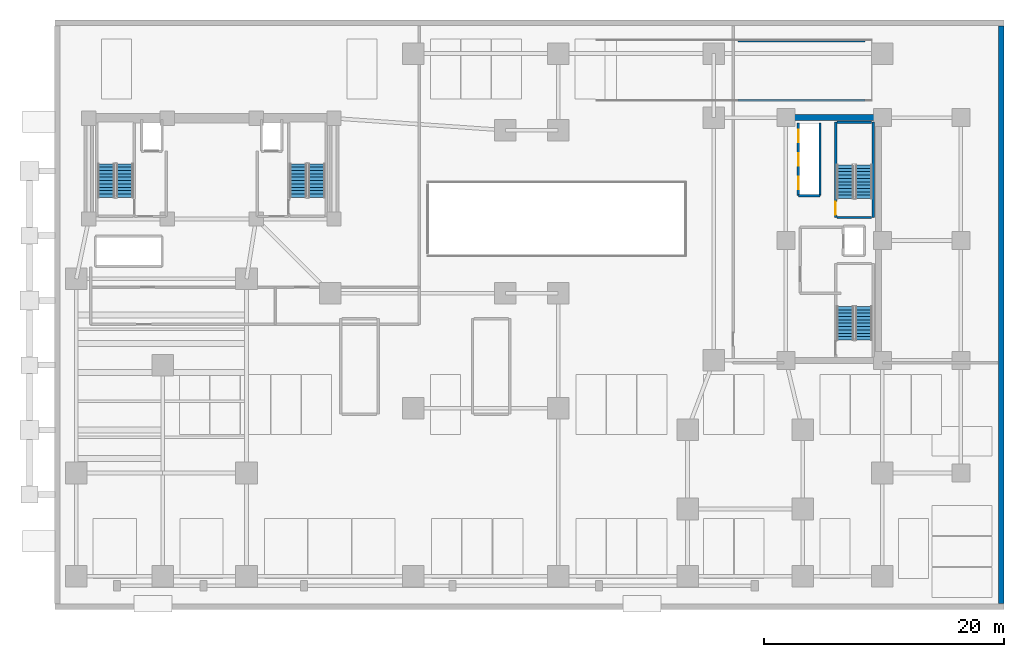
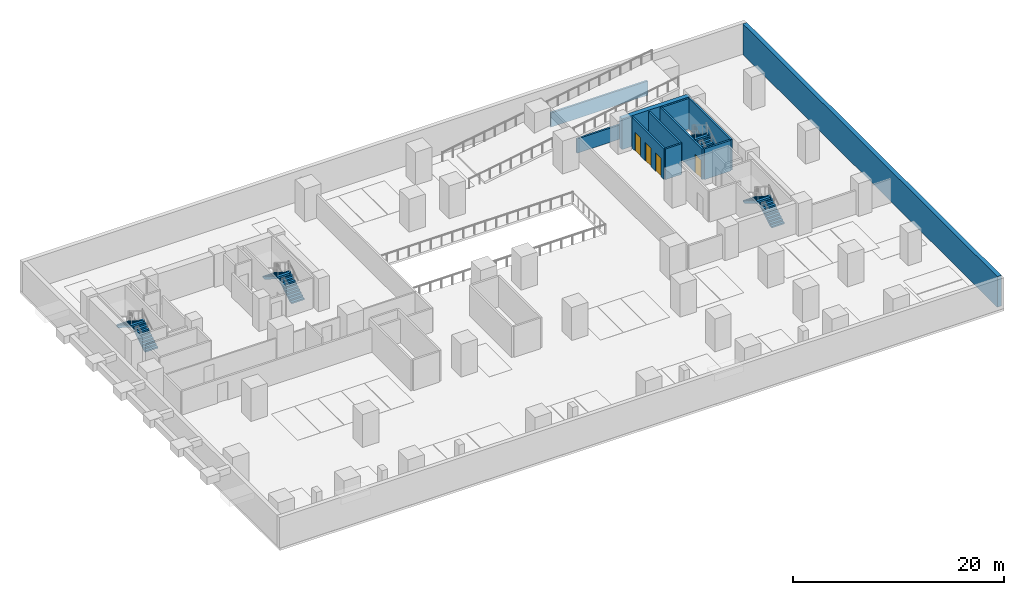
# One storey, part 5 of 9: 11 walls, 8 stair flights, 4 doors, 4 openings, 4 elements without a shape of their own.
"""IFC4 building model written with IfcOpenShell, lengths in metres."""

from ifc_helpers import new_model, si_unit, direction, frame, frame_2d, origin, place, context, subcontext, project, spatial, polyline, rectangle, outline, extrude, material, layer, layer_set, type_object, element, fill, aggregate, save


model = new_model("IFC4")

# Units and contexts
model_context = context("Model", 3, precision=1e-05, world=origin(), true_north=direction((0.0, 1.0)))
body_context = subcontext(model_context, "Body", "Model", "MODEL_VIEW")
ifc_project = project(units=[si_unit("LENGTHUNIT", "METRE"), si_unit("AREAUNIT", "SQUARE_METRE"), si_unit("VOLUMEUNIT", "CUBIC_METRE"), si_unit("PLANEANGLEUNIT", "RADIAN"), si_unit("MASSUNIT", "GRAM", prefix="KILO")], contexts=[model_context])

# Site, building, storey
site_placement = place(None, origin())
site = spatial("IfcSite", under=ifc_project, at=site_placement, CompositionType="ELEMENT")
building_placement = place(site_placement, origin())
building = spatial("IfcBuilding", under=site, at=building_placement, Name="Kuzgunbayir Cultural Tower", CompositionType="ELEMENT")
storey_placement = place(building_placement, frame((0.0, 0.0, -3.800048828125)))
storey = spatial("IfcBuildingStorey", under=building, at=storey_placement, Name="B01", CompositionType="ELEMENT", Elevation=-3.800048828125)

# Wall
ifc_material_1 = material(Name="Concrete C40/50", Category="concrete")
ifc_layer_1 = layer(ifc_material_1, 0.449951171875)
ifc_layer_set_1 = layer_set([ifc_layer_1], Name="Concrete C40/50")
wall_type_1 = type_object("IfcWallType", Name="WAL-EXT-BSM-450", PredefinedType="SOLIDWALL", material=ifc_layer_set_1)
wall_1_placement = place(storey_placement, frame((82.580078125, 1.699951171875, 0.0), z_axis=(0.0, 0.0, 1.0), x_axis=(0.0, 1.0, 0.0)))
element("IfcWall", 1, at=wall_1_placement, inside=storey, type_object=wall_type_1, Name="B01 East Retaining Wall", PredefinedType="SOLIDWALL", context=body_context, shape_type="SweptSolid", body=[
    extrude(rectangle(XDim=48.199951171875, YDim=0.449951171875, at=frame_2d((24.10009765625, 0.0))), origin(), (0.0, 0.0, 1.0), 3.550048828125),
])

# Wall, openings, doors
ifc_layer_2 = layer(ifc_material_1, 0.199951171875)
ifc_layer_set_2 = layer_set([ifc_layer_2], Name="Concrete C40/50")
wall_type_2 = type_object("IfcWallType", Name="WAL-SHAFT-200", PredefinedType="MOVABLE", material=ifc_layer_set_2)
wall_2_placement = place(storey_placement, frame((65.64990234375, 35.75, 0.0), z_axis=(0.0, 0.0, 1.0), x_axis=(0.0, 1.0, 0.0)))
wall_2 = element("IfcWall", 2, at=wall_2_placement, inside=storey, type_object=wall_type_2, Name="B01 Companion Lift Front Wall", PredefinedType="MOVABLE", context=body_context, shape_type="SweptSolid", body=[
    extrude(rectangle(XDim=6.050048828125, YDim=0.199951171875, at=frame_2d((3.02490234375, 0.0))), origin(), (0.0, 0.0, 1.0), 3.550048828125),
])
opening_1_placement = place(wall_2_placement, frame((0.52001953125, 0.0, 0.0)))
opening_1 = element("IfcOpeningElement", 3, at=opening_1_placement, cuts=wall_2, Name="Opening LD", PredefinedType="OPENING", context=body_context, shape_type="SweptSolid", body=[
    extrude(rectangle(XDim=1.050048828125, YDim=2.14990234375, at=frame_2d((0.52490234375, 1.074951171875))), frame((0.0, 0.10986328125, 0.0), z_axis=(0.0, -1.0, 0.0), x_axis=(1.0, 0.0, 0.0)), (0.0, 0.0, 1.0), 0.219970703125),
])
opening_2_placement = place(wall_2_placement, frame((2.47998046875, 0.0, 0.0)))
opening_2 = element("IfcOpeningElement", 4, at=opening_2_placement, cuts=wall_2, Name="Opening LD", PredefinedType="OPENING", context=body_context, shape_type="SweptSolid", body=[
    extrude(rectangle(XDim=1.050048828125, YDim=2.14990234375, at=frame_2d((0.52490234375, 1.074951171875))), frame((0.0, 0.10986328125, 0.0), z_axis=(0.0, -1.0, 0.0), x_axis=(1.0, 0.0, 0.0)), (0.0, 0.0, 1.0), 0.219970703125),
])
opening_3_placement = place(wall_2_placement, frame((4.429931640625, 0.0, 0.0)))
opening_3 = element("IfcOpeningElement", 5, at=opening_3_placement, cuts=wall_2, Name="Opening LD", PredefinedType="OPENING", context=body_context, shape_type="SweptSolid", body=[
    extrude(rectangle(XDim=1.050048828125, YDim=2.14990234375, at=frame_2d((0.52490234375, 1.074951171875))), frame((0.0, 0.10986328125, 0.0), z_axis=(0.0, -1.0, 0.0), x_axis=(1.0, 0.0, 0.0)), (0.0, 0.0, 1.0), 0.219970703125),
])
ifc_material_2 = material(Name="Brushed Stainless Steel", Category="steel")
door_type_1 = type_object("IfcDoorType", Name="DR-LIFT-LANDING", OperationType="SLIDING_TO_LEFT", PredefinedType="DOOR", material=ifc_material_2)
door_1_placement = place(opening_1_placement, origin())
door_1 = element("IfcDoor", 6, at=door_1_placement, inside=storey, type_object=door_type_1, Name="B01 Lift PC-1 Landing Door", OperationType="SLIDING_TO_LEFT", OverallHeight=2.14990234375, OverallWidth=1.050048828125, PredefinedType="DOOR", context=body_context, shape_type="SweptSolid", body=[
    extrude(rectangle(XDim=1.050048828125, YDim=2.14990234375, at=frame_2d((0.52490234375, 1.074951171875))), frame((0.0, 0.02490234375, 0.0), z_axis=(0.0, -1.0, 0.0), x_axis=(1.0, 0.0, 0.0)), (0.0, 0.0, 1.0), 0.050048828125),
])
fill(opening_1, door_1)
door_2_placement = place(opening_2_placement, origin())
door_2 = element("IfcDoor", 7, at=door_2_placement, inside=storey, type_object=door_type_1, Name="B01 Lift PC-2 Landing Door", OperationType="SLIDING_TO_LEFT", OverallHeight=2.14990234375, OverallWidth=1.050048828125, PredefinedType="DOOR", context=body_context, shape_type="SweptSolid", body=[
    extrude(rectangle(XDim=1.050048828125, YDim=2.14990234375, at=frame_2d((0.52490234375, 1.074951171875))), frame((0.0, 0.02490234375, 0.0), z_axis=(0.0, -1.0, 0.0), x_axis=(1.0, 0.0, 0.0)), (0.0, 0.0, 1.0), 0.050048828125),
])
fill(opening_2, door_2)
door_3_placement = place(opening_3_placement, origin())
door_3 = element("IfcDoor", 8, at=door_3_placement, inside=storey, type_object=door_type_1, Name="B01 Lift PC-3 Landing Door", OperationType="SLIDING_TO_LEFT", OverallHeight=2.14990234375, OverallWidth=1.050048828125, PredefinedType="DOOR", context=body_context, shape_type="SweptSolid", body=[
    extrude(rectangle(XDim=1.050048828125, YDim=2.14990234375, at=frame_2d((0.52490234375, 1.074951171875))), frame((0.0, 0.02490234375, 0.0), z_axis=(0.0, -1.0, 0.0), x_axis=(1.0, 0.0, 0.0)), (0.0, 0.0, 1.0), 0.050048828125),
])
fill(opening_3, door_3)

# Walls
wall_3_placement = place(storey_placement, frame((67.449951171875, 35.75, 0.0), z_axis=(0.0, 0.0, 1.0), x_axis=(0.0, 1.0, 0.0)))
element("IfcWall", 9, at=wall_3_placement, inside=storey, type_object=wall_type_2, Name="B01 Companion Lift Shaft Back Wall", PredefinedType="MOVABLE", context=body_context, shape_type="SweptSolid", body=[
    extrude(rectangle(XDim=6.050048828125, YDim=0.199951171875, at=frame_2d((3.02490234375, 0.0))), origin(), (0.0, 0.0, 1.0), 3.550048828125),
])
wall_4_placement = place(storey_placement, frame((65.64990234375, 35.75, 0.0), z_axis=(0.0, 0.0, 1.0), x_axis=(1.0, 0.0, 0.0)))
element("IfcWall", 10, at=wall_4_placement, inside=storey, type_object=wall_type_2, Name="B01 Companion Lift Shaft South Wall", PredefinedType="MOVABLE", context=body_context, shape_type="SweptSolid", body=[
    extrude(rectangle(XDim=1.800048828125, YDim=0.199951171875, at=frame_2d((0.89990234375, 0.0))), origin(), (0.0, 0.0, 1.0), 3.550048828125),
])

# Wall, opening, door
ifc_layer_3 = layer(ifc_material_1, 0.199951171875)
ifc_layer_set_3 = layer_set([ifc_layer_3], Name="Concrete C40/50")
wall_type_3 = type_object("IfcWallType", Name="WAL-STAIR-RC-200", PredefinedType="SHEAR", material=ifc_layer_set_3)
wall_5_placement = place(storey_placement, frame((68.760009765625, 33.919921875, 0.0), z_axis=(0.0, 0.0, 1.0), x_axis=(0.0, 1.0, 0.0)))
wall_5 = element("IfcWall", 11, at=wall_5_placement, inside=storey, type_object=wall_type_3, Name="B01 Stair ST-4 West Structural Wall", PredefinedType="SHEAR", context=body_context, shape_type="SweptSolid", body=[
    extrude(rectangle(XDim=7.9599609375, YDim=0.199951171875, at=frame_2d((3.97998046875, 0.0))), origin(), (0.0, 0.0, 1.0), 3.550048828125),
])
opening_4_placement = place(wall_5_placement, frame((0.219970703125, 0.0, 0.0)))
opening_4 = element("IfcOpeningElement", 12, at=opening_4_placement, cuts=wall_5, Name="Opening DR-STAIR-90", PredefinedType="OPENING", context=body_context, shape_type="SweptSolid", body=[
    extrude(rectangle(XDim=1.10009765625, YDim=2.14990234375, at=frame_2d((0.550048828125, 1.074951171875))), frame((0.0, 0.10986328125, 0.0), z_axis=(0.0, -1.0, 0.0), x_axis=(1.0, 0.0, 0.0)), (0.0, 0.0, 1.0), 0.219970703125),
])
ifc_material_3 = material(Name="Steel S355J2", Category="steel")
door_type_2 = type_object("IfcDoorType", Name="DR-STAIR-90", OperationType="NOTDEFINED", PredefinedType="DOOR", material=ifc_material_3)
door_4_placement = place(opening_4_placement, origin())
door_4 = element("IfcDoor", 13, at=door_4_placement, inside=storey, type_object=door_type_2, Name="B01 Stair ST-4 Fire Door", OperationType="SINGLE_SWING_RIGHT", OverallHeight=2.14990234375, OverallWidth=1.10009765625, PredefinedType="DOOR", context=body_context, shape_type="SweptSolid", body=[
    extrude(rectangle(XDim=1.10009765625, YDim=2.14990234375, at=frame_2d((0.550048828125, 1.074951171875))), frame((0.0, 0.02490234375, 0.0), z_axis=(0.0, -1.0, 0.0), x_axis=(1.0, 0.0, 0.0)), (0.0, 0.0, 1.0), 0.050048828125),
])
fill(opening_4, door_4)

# Walls
wall_6_placement = place(storey_placement, frame((71.8798828125, 33.919921875, 0.0), z_axis=(0.0, 0.0, 1.0), x_axis=(0.0, 1.0, 0.0)))
element("IfcWall", 14, at=wall_6_placement, inside=storey, type_object=wall_type_3, Name="B01 Stair ST-4 East Structural Wall", PredefinedType="SHEAR", context=body_context, shape_type="SweptSolid", body=[
    extrude(rectangle(XDim=7.9599609375, YDim=0.199951171875, at=frame_2d((3.97998046875, 0.0))), origin(), (0.0, 0.0, 1.0), 3.550048828125),
])
for number, where, z_axis, x_axis, name in (
    (15, (68.8798828125, 41.8798828125, 0.0), (0.0, 0.0, 1.0), (1.0, 0.0, 0.0), "B01 Stair ST-4 North Structural Wall"),
    (16, (68.8798828125, 33.919921875, 0.0), (0.0, 0.0, 1.0), (1.0, 0.0, 0.0), "B01 Stair ST-4 South Structural Wall"),
):
    element("IfcWall", number, at=place(storey_placement, frame(where, z_axis=z_axis, x_axis=x_axis)), inside=storey, type_object=wall_type_3, Name=name, PredefinedType="SHEAR", context=body_context, shape_type="SweptSolid", body=[
        extrude(rectangle(XDim=2.880126953125, YDim=0.199951171875, at=frame_2d((1.43994140625, 0.0))), origin(), (0.0, 0.0, 1.0), 3.550048828125),
    ])
for number, where, z_axis, x_axis, name in (
    (17, (60.60009765625, 43.719970703125, 0.0), (0.0, 0.0, 1.0), (1.0, 0.0, 0.0), "B01 Vehicle Ramp VR-1 Support Wall S"),
    (18, (60.60009765625, 48.679931640625, 0.0), (0.0, 0.0, 1.0), (1.0, 0.0, 0.0), "B01 Vehicle Ramp VR-1 Support Wall N"),
):
    element("IfcWall", number, at=place(storey_placement, frame(where, z_axis=z_axis, x_axis=x_axis)), inside=storey, type_object=wall_type_3, Name=name, PredefinedType="SHEAR", context=body_context, shape_type="SweptSolid", body=[
        extrude(rectangle(XDim=10.599853515625, YDim=0.199951171875, at=frame_2d((5.2998046875, 0.0))), origin(), (0.0, 0.0, 1.0), 1.650146484375),
    ])
ifc_material_4 = material(Name="Concrete C60/75", Category="concrete")
ifc_layer_4 = layer(ifc_material_4, 0.5)
ifc_layer_set_4 = layer_set([ifc_layer_4], Name="Concrete C60/75")
wall_type_4 = type_object("IfcWallType", Name="WAL-T2-CORE-500", PredefinedType="SHEAR", material=ifc_layer_set_4)
wall_7_placement = place(storey_placement, frame((64.60009765625, 42.25, 0.0), z_axis=(0.0, 0.0, 1.0), x_axis=(1.0, 0.0, 0.0)))
element("IfcWall", 19, at=wall_7_placement, inside=storey, type_object=wall_type_4, Name="B01 Companion Core North Shear Wall", PredefinedType="SHEAR", context=body_context, shape_type="SweptSolid", body=[
    extrude(rectangle(XDim=7.5, YDim=0.5, at=frame_2d((3.75, 0.0))), origin(), (0.0, 0.0, 1.0), 3.550048828125),
])

# Stair, stair flights
stair_type = type_object("IfcStairType", Name="STR-EXIT-CORE", PredefinedType="HALF_TURN_STAIR", material=ifc_material_1)
stair_1_placement = place(storey_placement, origin())
stair_1 = element("IfcStair", 20, at=stair_1_placement, inside=storey, type_object=stair_type, Name="B01 ST-1", PredefinedType="HALF_TURN_STAIR")
stair_flight_type = type_object("IfcStairFlightType", Name="STRF-RC-140", PredefinedType="STRAIGHT", material=ifc_material_1)
stair_flight_1_placement = place(storey_placement, frame((9.4599609375, 35.60009765625, 0.0), z_axis=(0.0, 0.0, 1.0), x_axis=(0.0, 1.0, 0.0)))
stair_flight_1 = element("IfcStairFlight", 21, at=stair_flight_1_placement, type_object=stair_flight_type, Name="ST-1 flight 1", NumberOfRisers=11, NumberOfTreads=10, PredefinedType="STRAIGHT", RiserHeight=0.172727273, TreadLength=0.28, context=body_context, shape_type="SweptSolid", body=[
    extrude(outline(polyline([(0.0, 0.0), (0.0, 0.172607421875), (0.280029296875, 0.172607421875), (0.280029296875, 0.345458984375), (0.56005859375, 0.345458984375), (0.56005859375, 0.51806640625), (0.840087890625, 0.51806640625), (0.840087890625, 0.69091796875), (1.1201171875, 0.69091796875), (1.1201171875, 0.863525390625), (1.39990234375, 0.863525390625), (1.39990234375, 1.036376953125), (1.679931640625, 1.036376953125), (1.679931640625, 1.208984375), (1.9599609375, 1.208984375), (1.9599609375, 1.3818359375), (2.239990234375, 1.3818359375), (2.239990234375, 1.554443359375), (2.52001953125, 1.554443359375), (2.52001953125, 1.727294921875), (2.800048828125, 1.727294921875), (2.800048828125, 1.89990234375), (2.800048828125, 1.515869140625), (0.3427734375, 0.0), (0.0, 0.0)])), frame((0.0, 0.699951171875, 0.0), z_axis=(0.0, -1.0, 0.0), x_axis=(1.0, 0.0, 0.0)), (0.0, 0.0, 1.0), 1.39990234375),
])
stair_flight_2_placement = place(storey_placement, frame((7.89990234375, 38.39990234375, 1.900146484375), z_axis=(0.0, 0.0, 1.0), x_axis=(0.0, -1.0, 0.0)))
stair_flight_2 = element("IfcStairFlight", 22, at=stair_flight_2_placement, type_object=stair_flight_type, Name="ST-1 flight 2", NumberOfRisers=11, NumberOfTreads=10, PredefinedType="STRAIGHT", RiserHeight=0.172727273, TreadLength=0.28, context=body_context, shape_type="SweptSolid", body=[
    extrude(outline(polyline([(0.0, 0.0), (0.0, 0.172607421875), (0.280029296875, 0.172607421875), (0.280029296875, 0.345458984375), (0.56005859375, 0.345458984375), (0.56005859375, 0.51806640625), (0.840087890625, 0.51806640625), (0.840087890625, 0.69091796875), (1.1201171875, 0.69091796875), (1.1201171875, 0.863525390625), (1.39990234375, 0.863525390625), (1.39990234375, 1.036376953125), (1.679931640625, 1.036376953125), (1.679931640625, 1.208984375), (1.9599609375, 1.208984375), (1.9599609375, 1.3818359375), (2.239990234375, 1.3818359375), (2.239990234375, 1.554443359375), (2.52001953125, 1.554443359375), (2.52001953125, 1.727294921875), (2.800048828125, 1.727294921875), (2.800048828125, 1.89990234375), (2.800048828125, 1.515869140625), (0.3427734375, 0.0), (0.0, 0.0)])), frame((0.0, 0.699951171875, 0.0), z_axis=(0.0, -1.0, 0.0), x_axis=(1.0, 0.0, 0.0)), (0.0, 0.0, 1.0), 1.39990234375),
])
aggregate(stair_1, [stair_flight_1, stair_flight_2])

stair_2_placement = place(storey_placement, origin())
stair_2 = element("IfcStair", 23, at=stair_2_placement, inside=storey, type_object=stair_type, Name="B01 ST-2", PredefinedType="HALF_TURN_STAIR")
stair_flight_3_placement = place(storey_placement, frame((25.4599609375, 35.60009765625, 0.0), z_axis=(0.0, 0.0, 1.0), x_axis=(0.0, 1.0, 0.0)))
stair_flight_3 = element("IfcStairFlight", 24, at=stair_flight_3_placement, type_object=stair_flight_type, Name="ST-2 flight 1", NumberOfRisers=11, NumberOfTreads=10, PredefinedType="STRAIGHT", RiserHeight=0.172727273, TreadLength=0.28, context=body_context, shape_type="SweptSolid", body=[
    extrude(outline(polyline([(0.0, 0.0), (0.0, 0.172607421875), (0.280029296875, 0.172607421875), (0.280029296875, 0.345458984375), (0.56005859375, 0.345458984375), (0.56005859375, 0.51806640625), (0.840087890625, 0.51806640625), (0.840087890625, 0.69091796875), (1.1201171875, 0.69091796875), (1.1201171875, 0.863525390625), (1.39990234375, 0.863525390625), (1.39990234375, 1.036376953125), (1.679931640625, 1.036376953125), (1.679931640625, 1.208984375), (1.9599609375, 1.208984375), (1.9599609375, 1.3818359375), (2.239990234375, 1.3818359375), (2.239990234375, 1.554443359375), (2.52001953125, 1.554443359375), (2.52001953125, 1.727294921875), (2.800048828125, 1.727294921875), (2.800048828125, 1.89990234375), (2.800048828125, 1.515869140625), (0.3427734375, 0.0), (0.0, 0.0)])), frame((0.0, 0.699951171875, 0.0), z_axis=(0.0, -1.0, 0.0), x_axis=(1.0, 0.0, 0.0)), (0.0, 0.0, 1.0), 1.39990234375),
])
stair_flight_4_placement = place(storey_placement, frame((23.89990234375, 38.39990234375, 1.900146484375), z_axis=(0.0, 0.0, 1.0), x_axis=(0.0, -1.0, 0.0)))
stair_flight_4 = element("IfcStairFlight", 25, at=stair_flight_4_placement, type_object=stair_flight_type, Name="ST-2 flight 2", NumberOfRisers=11, NumberOfTreads=10, PredefinedType="STRAIGHT", RiserHeight=0.172727273, TreadLength=0.28, context=body_context, shape_type="SweptSolid", body=[
    extrude(outline(polyline([(0.0, 0.0), (0.0, 0.172607421875), (0.280029296875, 0.172607421875), (0.280029296875, 0.345458984375), (0.56005859375, 0.345458984375), (0.56005859375, 0.51806640625), (0.840087890625, 0.51806640625), (0.840087890625, 0.69091796875), (1.1201171875, 0.69091796875), (1.1201171875, 0.863525390625), (1.39990234375, 0.863525390625), (1.39990234375, 1.036376953125), (1.679931640625, 1.036376953125), (1.679931640625, 1.208984375), (1.9599609375, 1.208984375), (1.9599609375, 1.3818359375), (2.239990234375, 1.3818359375), (2.239990234375, 1.554443359375), (2.52001953125, 1.554443359375), (2.52001953125, 1.727294921875), (2.800048828125, 1.727294921875), (2.800048828125, 1.89990234375), (2.800048828125, 1.515869140625), (0.3427734375, 0.0), (0.0, 0.0)])), frame((0.0, 0.699951171875, 0.0), z_axis=(0.0, -1.0, 0.0), x_axis=(1.0, 0.0, 0.0)), (0.0, 0.0, 1.0), 1.39990234375),
])
aggregate(stair_2, [stair_flight_3, stair_flight_4])

stair_3_placement = place(storey_placement, origin())
stair_3 = element("IfcStair", 26, at=stair_3_placement, inside=storey, type_object=stair_type, Name="B01 ST-3", PredefinedType="HALF_TURN_STAIR")
stair_flight_5_placement = place(storey_placement, frame((71.10009765625, 23.699951171875, 0.0), z_axis=(0.0, 0.0, 1.0), x_axis=(0.0, 1.0, 0.0)))
stair_flight_5 = element("IfcStairFlight", 27, at=stair_flight_5_placement, type_object=stair_flight_type, Name="ST-3 flight 1", NumberOfRisers=11, NumberOfTreads=10, PredefinedType="STRAIGHT", RiserHeight=0.172727273, TreadLength=0.28, context=body_context, shape_type="SweptSolid", body=[
    extrude(outline(polyline([(0.0, 0.0), (0.0, 0.172607421875), (0.280029296875, 0.172607421875), (0.280029296875, 0.345458984375), (0.56005859375, 0.345458984375), (0.56005859375, 0.51806640625), (0.840087890625, 0.51806640625), (0.840087890625, 0.69091796875), (1.1201171875, 0.69091796875), (1.1201171875, 0.863525390625), (1.39990234375, 0.863525390625), (1.39990234375, 1.036376953125), (1.679931640625, 1.036376953125), (1.679931640625, 1.208984375), (1.9599609375, 1.208984375), (1.9599609375, 1.3818359375), (2.239990234375, 1.3818359375), (2.239990234375, 1.554443359375), (2.52001953125, 1.554443359375), (2.52001953125, 1.727294921875), (2.800048828125, 1.727294921875), (2.800048828125, 1.89990234375), (2.800048828125, 1.515869140625), (0.3427734375, 0.0), (0.0, 0.0)])), frame((0.0, 0.699951171875, 0.0), z_axis=(0.0, -1.0, 0.0), x_axis=(1.0, 0.0, 0.0)), (0.0, 0.0, 1.0), 1.39990234375),
])
stair_flight_6_placement = place(storey_placement, frame((69.5400390625, 26.5, 1.900146484375), z_axis=(0.0, 0.0, 1.0), x_axis=(0.0, -1.0, 0.0)))
stair_flight_6 = element("IfcStairFlight", 28, at=stair_flight_6_placement, type_object=stair_flight_type, Name="ST-3 flight 2", NumberOfRisers=11, NumberOfTreads=10, PredefinedType="STRAIGHT", RiserHeight=0.172727273, TreadLength=0.28, context=body_context, shape_type="SweptSolid", body=[
    extrude(outline(polyline([(0.0, 0.0), (0.0, 0.172607421875), (0.280029296875, 0.172607421875), (0.280029296875, 0.345458984375), (0.56005859375, 0.345458984375), (0.56005859375, 0.51806640625), (0.840087890625, 0.51806640625), (0.840087890625, 0.69091796875), (1.1201171875, 0.69091796875), (1.1201171875, 0.863525390625), (1.39990234375, 0.863525390625), (1.39990234375, 1.036376953125), (1.679931640625, 1.036376953125), (1.679931640625, 1.208984375), (1.9599609375, 1.208984375), (1.9599609375, 1.3818359375), (2.239990234375, 1.3818359375), (2.239990234375, 1.554443359375), (2.52001953125, 1.554443359375), (2.52001953125, 1.727294921875), (2.800048828125, 1.727294921875), (2.800048828125, 1.89990234375), (2.800048828125, 1.515869140625), (0.3427734375, 0.0), (0.0, 0.0)])), frame((0.0, 0.699951171875, 0.0), z_axis=(0.0, -1.0, 0.0), x_axis=(1.0, 0.0, 0.0)), (0.0, 0.0, 1.0), 1.39990234375),
])
aggregate(stair_3, [stair_flight_5, stair_flight_6])

stair_4_placement = place(storey_placement, origin())
stair_4 = element("IfcStair", 29, at=stair_4_placement, inside=storey, type_object=stair_type, Name="B01 ST-4", PredefinedType="HALF_TURN_STAIR")
stair_flight_7_placement = place(storey_placement, frame((71.10009765625, 35.5, 0.0), z_axis=(0.0, 0.0, 1.0), x_axis=(0.0, 1.0, 0.0)))
stair_flight_7 = element("IfcStairFlight", 30, at=stair_flight_7_placement, type_object=stair_flight_type, Name="ST-4 flight 1", NumberOfRisers=11, NumberOfTreads=10, PredefinedType="STRAIGHT", RiserHeight=0.172727273, TreadLength=0.28, context=body_context, shape_type="SweptSolid", body=[
    extrude(outline(polyline([(0.0, 0.0), (0.0, 0.172607421875), (0.280029296875, 0.172607421875), (0.280029296875, 0.345458984375), (0.56005859375, 0.345458984375), (0.56005859375, 0.51806640625), (0.840087890625, 0.51806640625), (0.840087890625, 0.69091796875), (1.1201171875, 0.69091796875), (1.1201171875, 0.863525390625), (1.39990234375, 0.863525390625), (1.39990234375, 1.036376953125), (1.679931640625, 1.036376953125), (1.679931640625, 1.208984375), (1.9599609375, 1.208984375), (1.9599609375, 1.3818359375), (2.239990234375, 1.3818359375), (2.239990234375, 1.554443359375), (2.52001953125, 1.554443359375), (2.52001953125, 1.727294921875), (2.800048828125, 1.727294921875), (2.800048828125, 1.89990234375), (2.800048828125, 1.515869140625), (0.3427734375, 0.0), (0.0, 0.0)])), frame((0.0, 0.699951171875, 0.0), z_axis=(0.0, -1.0, 0.0), x_axis=(1.0, 0.0, 0.0)), (0.0, 0.0, 1.0), 1.39990234375),
])
stair_flight_8_placement = place(storey_placement, frame((69.5400390625, 38.300048828125, 1.900146484375), z_axis=(0.0, 0.0, 1.0), x_axis=(0.0, -1.0, 0.0)))
stair_flight_8 = element("IfcStairFlight", 31, at=stair_flight_8_placement, type_object=stair_flight_type, Name="ST-4 flight 2", NumberOfRisers=11, NumberOfTreads=10, PredefinedType="STRAIGHT", RiserHeight=0.172727273, TreadLength=0.28, context=body_context, shape_type="SweptSolid", body=[
    extrude(outline(polyline([(0.0, 0.0), (0.0, 0.172607421875), (0.280029296875, 0.172607421875), (0.280029296875, 0.345458984375), (0.56005859375, 0.345458984375), (0.56005859375, 0.51806640625), (0.840087890625, 0.51806640625), (0.840087890625, 0.69091796875), (1.1201171875, 0.69091796875), (1.1201171875, 0.863525390625), (1.39990234375, 0.863525390625), (1.39990234375, 1.036376953125), (1.679931640625, 1.036376953125), (1.679931640625, 1.208984375), (1.9599609375, 1.208984375), (1.9599609375, 1.3818359375), (2.239990234375, 1.3818359375), (2.239990234375, 1.554443359375), (2.52001953125, 1.554443359375), (2.52001953125, 1.727294921875), (2.800048828125, 1.727294921875), (2.800048828125, 1.89990234375), (2.800048828125, 1.515869140625), (0.3427734375, 0.0), (0.0, 0.0)])), frame((0.0, 0.699951171875, 0.0), z_axis=(0.0, -1.0, 0.0), x_axis=(1.0, 0.0, 0.0)), (0.0, 0.0, 1.0), 1.39990234375),
])
aggregate(stair_4, [stair_flight_7, stair_flight_8])

save(model, "model.ifc")
